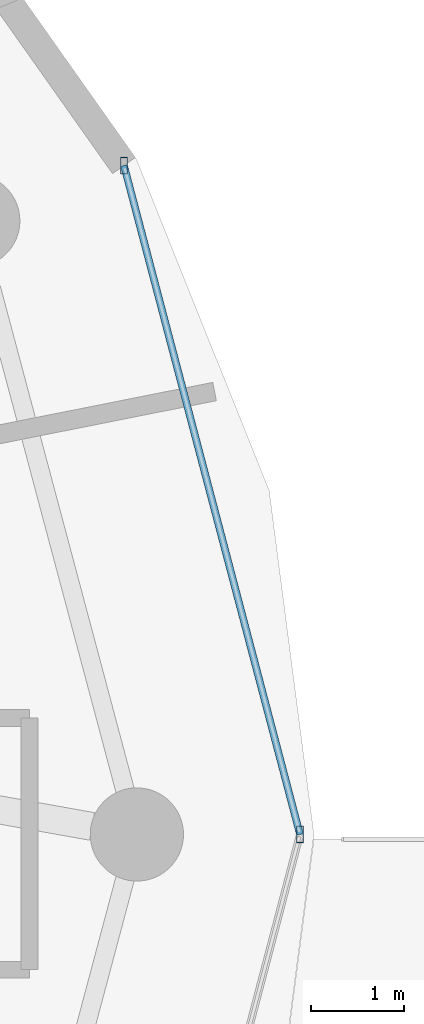
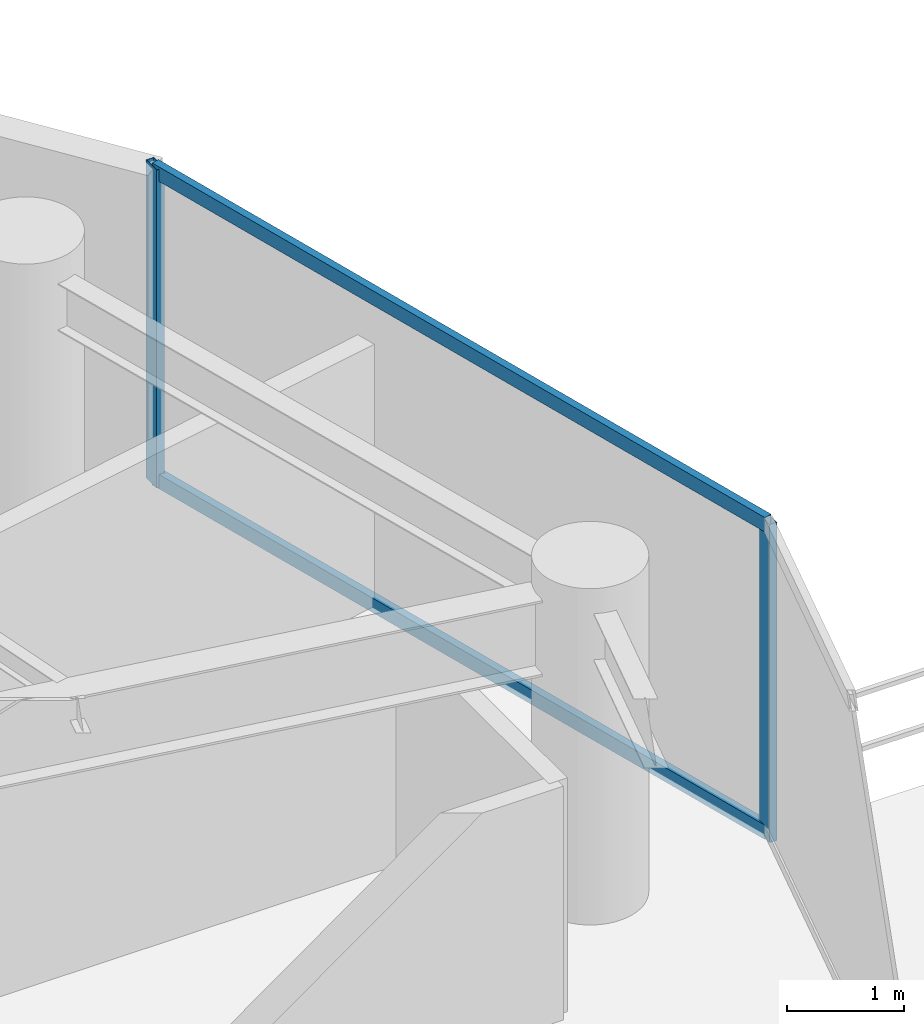
# One storey, part 14 of 29: 4 members, 1 element without a shape of its own.
"""IFC4 building model written with IfcOpenShell, lengths in metres."""

import ifcopenshell
import ifcopenshell.guid

model = None  # the IFC model being written
_history = None  # IfcOwnerHistory: only IFC2X3 demands one
_inside = {}  # id of a spatial element -> (the spatial element, [elements in it])
_under = {}  # id of a project, library or spatial element -> (it, [spatial elements below it])
_declared = {}  # id of a project -> (the project, [libraries it declares])
_typed = {}  # id of a type object -> (the type object, [elements of that type])
_made_of = {}  # id of a material, layer set ... -> (it, [elements and type objects made of it])


def new_model(schema):
    """Start an empty IFC model of exactly this schema.

    Asked for "IFC4X3", IfcOpenShell would pick the latest addendum, in which some entities
    have other attributes; the version numbers below select the first issue.
    IFC2X3 requires an IfcOwnerHistory on every rooted entity: one is made here for all.
    """
    global model, _history
    if schema == "IFC4X3":
        model = ifcopenshell.file(schema_version=(4, 3, 0, 0))
    else:
        model = ifcopenshell.file(schema=schema)
    _inside.clear()
    _under.clear()
    _declared.clear()
    _typed.clear()
    _made_of.clear()
    _history = None
    if model.schema == "IFC2X3":
        org = make("IfcOrganization", Name="unknown")
        user = make(
            "IfcPersonAndOrganization",
            ThePerson=make("IfcPerson", FamilyName="unknown"),
            TheOrganization=org,
        )
        app = make(
            "IfcApplication",
            ApplicationDeveloper=org,
            Version="unknown",
            ApplicationFullName="unknown",
            ApplicationIdentifier="unknown",
        )
        _history = make(
            "IfcOwnerHistory",
            OwningUser=user,
            OwningApplication=app,
            ChangeAction="ADDED",
            CreationDate=0,
        )
    return model


def make(cls, **values):
    """One entity of the class cls with the attributes given. An attribute that is None is left unset."""
    return model.create_entity(
        cls, **{name: value for name, value in values.items() if value is not None}
    )


def rooted(cls, **values):
    """An entity with a GlobalId (a new one), such as an element, a storey or a relation."""
    return make(cls, GlobalId=ifcopenshell.guid.new(), OwnerHistory=_history, **values)


def si_unit(unit_type, name, prefix=None):
    """IfcSIUnit, for example si_unit("LENGTHUNIT", "METRE", prefix="MILLI")."""
    return make("IfcSIUnit", UnitType=unit_type, Prefix=prefix, Name=name)


def assignment(units):
    """IfcUnitAssignment: the units of a project."""
    return None if units is None else make("IfcUnitAssignment", Units=units)


def point(xyz):
    """IfcCartesianPoint."""
    return None if xyz is None else make("IfcCartesianPoint", Coordinates=xyz)


def direction(xyz):
    """IfcDirection."""
    return None if xyz is None else make("IfcDirection", DirectionRatios=xyz)


def frame(location, z_axis=None, x_axis=None):
    """IfcAxis2Placement3D, a coordinate frame: its origin and axes. An axis left out is left unset."""
    return make(
        "IfcAxis2Placement3D",
        Location=point(location),
        Axis=direction(z_axis),
        RefDirection=direction(x_axis),
    )


def frame_2d(location, x_axis=None):
    """IfcAxis2Placement2D, a coordinate frame in the plane: its origin and x axis."""
    return make(
        "IfcAxis2Placement2D", Location=point(location), RefDirection=direction(x_axis)
    )


def origin():
    """The frame at (0, 0, 0) with its axes left unset."""
    return frame((0.0, 0.0, 0.0))


def origin_2d():
    """The frame at (0, 0) in the plane with its x axis left unset."""
    return frame_2d((0.0, 0.0))


def place(relative_to, where):
    """IfcLocalPlacement: puts the frame where relative to a parent placement (None: the world)."""
    return make(
        "IfcLocalPlacement", PlacementRelTo=relative_to, RelativePlacement=where
    )


def context(
    kind, dimensions, precision=None, world=None, true_north=None, identifier=None
):
    """IfcGeometricRepresentationContext, for example the 3D "Model" context."""
    return make(
        "IfcGeometricRepresentationContext",
        ContextIdentifier=identifier,
        ContextType=kind,
        CoordinateSpaceDimension=dimensions,
        Precision=precision,
        WorldCoordinateSystem=world,
        TrueNorth=true_north,
    )


def subcontext(parent, identifier, kind, view, scale=None):
    """IfcGeometricRepresentationSubContext, for example "Body" below "Model"."""
    return make(
        "IfcGeometricRepresentationSubContext",
        ContextIdentifier=identifier,
        ContextType=kind,
        ParentContext=parent,
        TargetScale=scale,
        TargetView=view,
    )


def project(units=None, contexts=None):
    """IfcProject with its units and contexts."""
    return rooted(
        "IfcProject",
        Name="project",
        RepresentationContexts=contexts,
        UnitsInContext=assignment(units),
    )


def spatial(cls, under=None, at=None, **own):
    """A site, building, storey or space (cls), placed at a placement, below another one or the project."""
    s = rooted(cls, ObjectPlacement=at, **own)
    if under is not None:
        _under.setdefault(under.id(), (under, []))[1].append(s)
    return s


def profile(cls, at=None, kind="AREA", **sizes):
    """A parametric profile (cls). Its sizes go by their IFC names, for example OverallWidth=200.0."""
    return make(cls, ProfileType=kind, Position=at, **sizes)


def hollow_rectangle(**sizes):
    """IfcRectangleHollowProfileDef."""
    return profile("IfcRectangleHollowProfileDef", **sizes)


def extrude(swept, where, along, depth):
    """IfcExtrudedAreaSolid: the profile swept, set in the frame where, extruded along a direction by depth."""
    return make(
        "IfcExtrudedAreaSolid",
        SweptArea=swept,
        Position=where,
        ExtrudedDirection=direction(along),
        Depth=depth,
    )


def shape(context_of_items, identifier, shape_type, items):
    """IfcShapeRepresentation: the items that make up one representation, for example the "Body"."""
    return make(
        "IfcShapeRepresentation",
        ContextOfItems=context_of_items,
        RepresentationIdentifier=identifier,
        RepresentationType=shape_type,
        Items=items,
    )


def material(Name=None, Category=None):
    """IfcMaterial."""
    return make("IfcMaterial", Name=Name, Category=Category)


def material_profile(
    of_material, cross_section, Name=None, Category=None, Priority=None
):
    """IfcMaterialProfile: a cross section and its material."""
    return make(
        "IfcMaterialProfile",
        Name=Name,
        Material=of_material,
        Profile=cross_section,
        Priority=Priority,
        Category=Category,
    )


def profile_set(profiles, Name=None, composite=None):
    """IfcMaterialProfileSet."""
    return make(
        "IfcMaterialProfileSet",
        Name=Name,
        MaterialProfiles=profiles,
        CompositeProfile=composite,
    )


def made_of(thing, what):
    """Note that an element or type object is made of a material, layer set ...; save() writes the relation."""
    if what is not None:
        _made_of.setdefault(what.id(), (what, []))[1].append(thing)
    return thing


def type_object(cls, material=None, **own):
    """A type object (cls), such as IfcWallType, which elements share."""
    return made_of(rooted(cls, **own), material)


def element(
    cls,
    number,
    at=None,
    inside=None,
    cuts=None,
    type_object=None,
    material=None,
    context=None,
    identifier="Body",
    shape_type=None,
    held_by="IfcProductDefinitionShape",
    body=None,
    shapes=None,
    **own,
):
    """One element of the class cls, such as IfcWall. Its Tag is "e" and its number.

    at: its placement. inside: the storey or other place that contains it. cuts: it is an
    opening in that element (IfcRelVoidsElement). A single representation is given by context,
    identifier, shape_type and body (its items); several are given by shapes. held_by: the class
    of the entity that holds the representations. save() writes the other relations.
    """
    e = rooted(cls, Tag="e%d" % number, ObjectPlacement=at, **own)
    if body is not None:
        shapes = [shape(context, identifier, shape_type, body)]
    if shapes is not None:
        e.Representation = make(held_by, Representations=shapes)
    if inside is not None:
        _inside.setdefault(inside.id(), (inside, []))[1].append(e)
    if cuts is not None:
        rooted(
            "IfcRelVoidsElement", RelatingBuildingElement=cuts, RelatedOpeningElement=e
        )
    if type_object is not None:
        _typed.setdefault(type_object.id(), (type_object, []))[1].append(e)
    return made_of(e, material)


def aggregate(whole, parts):
    """IfcRelAggregates: a whole, such as a stair, and the parts it consists of."""
    return rooted("IfcRelAggregates", RelatingObject=whole, RelatedObjects=parts)


def save(model, path):
    """Write the relations noted so far, then the file.

    IfcRelAggregates (storeys below a building ...), IfcRelContainedInSpatialStructure (elements
    in a storey), IfcRelDefinesByType, IfcRelAssociatesMaterial and IfcRelDeclares: one each for
    every whole, place, type object, material and project.
    """
    for whole, parts in _under.values():
        aggregate(whole, parts)
    for where, things in _inside.values():
        rooted(
            "IfcRelContainedInSpatialStructure",
            RelatedElements=things,
            RelatingStructure=where,
        )
    for kind, things in _typed.values():
        rooted("IfcRelDefinesByType", RelatedObjects=things, RelatingType=kind)
    for what, things in _made_of.values():
        rooted("IfcRelAssociatesMaterial", RelatedObjects=things, RelatingMaterial=what)
    for by, libraries in _declared.values():
        rooted("IfcRelDeclares", RelatingContext=by, RelatedDefinitions=libraries)
    model.write(path)


model = new_model("IFC4")

# Units and contexts
model_context = context("Model", 3, precision=1e-05, world=origin(), true_north=direction((0.0, 1.0)))
body_context = subcontext(model_context, "Body", "Model", "MODEL_VIEW")
ifc_project = project(units=[si_unit("LENGTHUNIT", "METRE"), si_unit("AREAUNIT", "SQUARE_METRE"), si_unit("VOLUMEUNIT", "CUBIC_METRE"), si_unit("PLANEANGLEUNIT", "RADIAN"), si_unit("MASSUNIT", "GRAM", prefix="KILO")], contexts=[model_context])

# Site, building, storey
site_placement = place(None, origin())
site = spatial("IfcSite", under=ifc_project, at=site_placement, CompositionType="ELEMENT")
building_placement = place(site_placement, origin())
building = spatial("IfcBuilding", under=site, at=building_placement, Name="Vorneva Point Tower", CompositionType="ELEMENT")
storey_placement = place(building_placement, frame((0.0, 0.0, 150.10009765625)))
storey = spatial("IfcBuildingStorey", under=building, at=storey_placement, Name="L40", CompositionType="ELEMENT", Elevation=150.10009765625)

# Curtain wall, members
ifc_material = material(Name="Pale anodised aluminium", Category="aluminium")
curtain_wall_type = type_object("IfcCurtainWallType", Name="CW-RES-SYS", PredefinedType="NOTDEFINED", material=ifc_material)
curtain_wall_placement = place(storey_placement, origin())
curtain_wall = element("IfcCurtainWall", 1, at=curtain_wall_placement, inside=storey, type_object=curtain_wall_type, Name="L40 Unitised Curtain Wall CW-L40-R01", PredefinedType="NOTDEFINED")
ifc_material_profile_1 = material_profile(ifc_material, hollow_rectangle(XDim=0.074951171875, YDim=0.179931640625, WallThickness=0.00390625, at=origin_2d()), Name="AL-MUL 180x75x4")
ifc_profile_set_1 = profile_set([ifc_material_profile_1], Name="Pale anodised aluminium")
member_type_1 = type_object("IfcMemberType", Name="CW-MUL-180", PredefinedType="MULLION", material=ifc_profile_set_1)
member_1_placement = place(storey_placement, frame((62.800048828125, 26.0, -0.0400390625), z_axis=(0.0, 0.0, 1.0), x_axis=(1.0, 0.0, 0.0)))
member_1 = element("IfcMember", 2, at=member_1_placement, type_object=member_type_1, Name="CW-L40-R01 Mullion 02", PredefinedType="MULLION", context=body_context, shape_type="SweptSolid", body=[
    extrude(hollow_rectangle(XDim=0.074951171875, YDim=0.179931640625, WallThickness=0.00390625, at=origin_2d()), origin(), (0.0, 0.0, 1.0), 3.31005859375),
])
member_2_placement = place(storey_placement, frame((60.912109375, 33.17529296875, -0.0400390625), z_axis=(0.0, 0.0, 1.0), x_axis=(1.0, 0.0, 0.0)))
member_2 = element("IfcMember", 3, at=member_2_placement, type_object=member_type_1, Name="CW-L40-R01 Mullion 03", PredefinedType="MULLION", context=body_context, shape_type="SweptSolid", body=[
    extrude(hollow_rectangle(XDim=0.074951171875, YDim=0.179931640625, WallThickness=0.00390625, at=origin_2d()), origin(), (0.0, 0.0, 1.0), 3.31005859375),
])
ifc_material_profile_2 = material_profile(ifc_material, hollow_rectangle(XDim=0.074951171875, YDim=0.14990234375, WallThickness=0.00390625, at=origin_2d()), Name="AL-TRN 150x75x4")
ifc_profile_set_2 = profile_set([ifc_material_profile_2], Name="Pale anodised aluminium")
member_type_2 = type_object("IfcMemberType", Name="CW-TRN-150", PredefinedType="USERDEFINED", material=ifc_profile_set_2)
member_3_placement = place(storey_placement, frame((62.800048828125, 26.0, 0.02001953125), z_axis=(-0.254456046293, 0.967084339913, 0.0), x_axis=(-0.967084339913, -0.254456046293, 0.0)))
member_3 = element("IfcMember", 4, at=member_3_placement, type_object=member_type_2, Name="CW-L40-R01 Transom 02.1", ObjectType="TRANSOM", PredefinedType="USERDEFINED", context=body_context, shape_type="SweptSolid", body=[
    extrude(hollow_rectangle(XDim=0.074951171875, YDim=0.14990234375, WallThickness=0.00390625, at=origin_2d()), origin(), (0.0, 0.0, 1.0), 7.41943359375),
])
member_4_placement = place(storey_placement, frame((62.800048828125, 26.0, 3.219970703125), z_axis=(-0.254456046293, 0.967084339913, 0.0), x_axis=(-0.967084339913, -0.254456046293, 0.0)))
member_4 = element("IfcMember", 5, at=member_4_placement, type_object=member_type_2, Name="CW-L40-R01 Transom 02.2", ObjectType="TRANSOM", PredefinedType="USERDEFINED", context=body_context, shape_type="SweptSolid", body=[
    extrude(hollow_rectangle(XDim=0.074951171875, YDim=0.14990234375, WallThickness=0.00390625, at=origin_2d()), origin(), (0.0, 0.0, 1.0), 7.41943359375),
])
aggregate(curtain_wall, [member_1, member_2, member_3, member_4])

save(model, "model.ifc")
